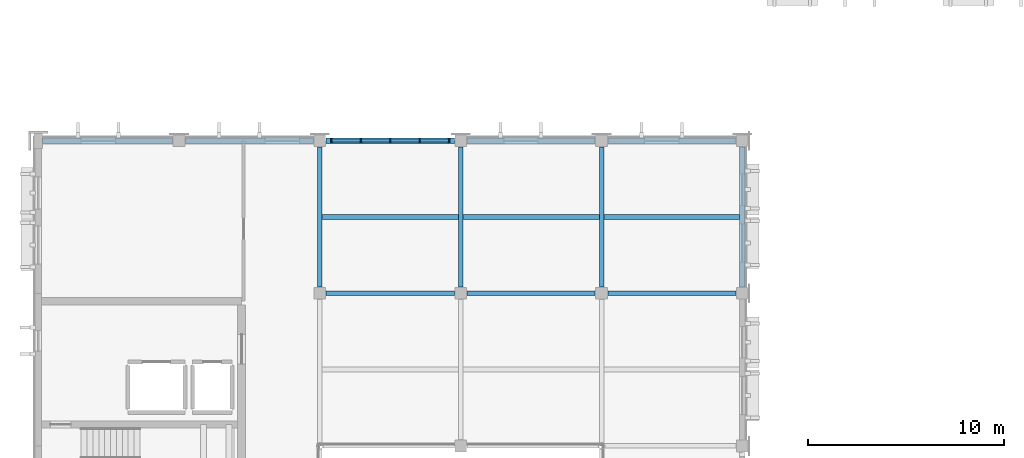
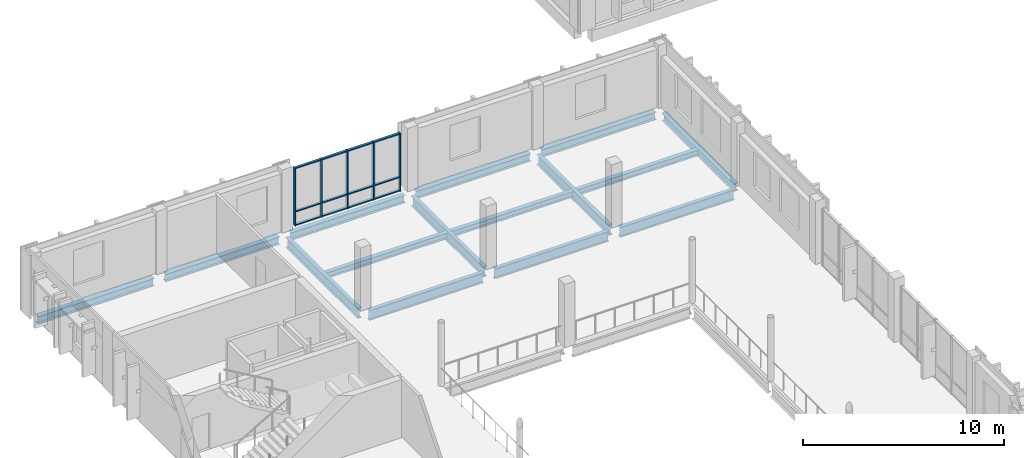
# One storey, part 18 of 64: 17 members, 15 beams, 1 element without a shape of its own.
"""IFC4 building model written with IfcOpenShell, lengths in metres."""

from ifc_helpers import new_model, si_unit, direction, frame, origin, origin_2d, place, context, subcontext, project, spatial, rectangle, i_section, extrude, material, material_profile, profile_set, type_object, element, aggregate, save


model = new_model("IFC4")

# Units and contexts
model_context = context("Model", 3, precision=1e-05, world=origin(), true_north=direction((0.0, 1.0)))
body_context = subcontext(model_context, "Body", "Model", "MODEL_VIEW")
ifc_project = project(units=[si_unit("LENGTHUNIT", "METRE"), si_unit("AREAUNIT", "SQUARE_METRE"), si_unit("VOLUMEUNIT", "CUBIC_METRE"), si_unit("PLANEANGLEUNIT", "RADIAN"), si_unit("MASSUNIT", "GRAM", prefix="KILO")], contexts=[model_context])

# Site, building, storey
site_placement = place(None, origin())
site = spatial("IfcSite", under=ifc_project, at=site_placement, CompositionType="ELEMENT")
building_placement = place(site_placement, origin())
building = spatial("IfcBuilding", under=site, at=building_placement, Name="Vervanel Yard Central Library", CompositionType="ELEMENT")
storey_placement = place(building_placement, frame((0.0, 0.0, 8.93994140625)))
storey = spatial("IfcBuildingStorey", under=building, at=storey_placement, Name="L02", CompositionType="ELEMENT", Elevation=8.93994140625)

# Curtain wall, members
ifc_material_1 = material(Name="Thermally broken anodized aluminium 6063-T6", Category="aluminium")
curtain_wall_type = type_object("IfcCurtainWallType", Name="Atrium Courtyard Curtain Wall", PredefinedType="NOTDEFINED", material=ifc_material_1)
curtain_wall_placement = place(storey_placement, origin())
curtain_wall = element("IfcCurtainWall", 1, at=curtain_wall_placement, inside=storey, type_object=curtain_wall_type, Name="L02 Atrium Courtyard Curtain Wall CWR-L02-037", PredefinedType="NOTDEFINED")
ifc_material_profile_1 = material_profile(ifc_material_1, rectangle(XDim=0.06494140625, YDim=0.18994140625, at=origin_2d()), Name="ALU 65x190", Category="aluminium")
ifc_profile_set_1 = profile_set([ifc_material_profile_1], Name="Thermally broken anodized aluminium 6063-T6")
member_type_1 = type_object("IfcMemberType", Name="Curtain Wall Primary Mullion 65x190", PredefinedType="MULLION", material=ifc_profile_set_1)
member_1_placement = place(storey_placement, frame((14.992431640625, 74.39990234375, 0.0), z_axis=(0.0, 0.0, 1.0), x_axis=(1.0, 0.0, 0.0)))
member_1 = element("IfcMember", 2, at=member_1_placement, type_object=member_type_1, Name="CWR-L02-037 Mullion 1", PredefinedType="MULLION", context=body_context, shape_type="SweptSolid", body=[
    extrude(rectangle(XDim=0.06494140625, YDim=0.18994140625, at=origin_2d()), origin(), (0.0, 0.0, 1.0), 3.510009765625),
])
member_2_placement = place(storey_placement, frame((16.496337890625, 74.39990234375, 0.0), z_axis=(0.0, 0.0, 1.0), x_axis=(1.0, 0.0, 0.0)))
member_2 = element("IfcMember", 3, at=member_2_placement, type_object=member_type_1, Name="CWR-L02-037 Mullion 2", PredefinedType="MULLION", context=body_context, shape_type="SweptSolid", body=[
    extrude(rectangle(XDim=0.06494140625, YDim=0.18994140625, at=origin_2d()), origin(), (0.0, 0.0, 1.0), 3.510009765625),
])
member_3_placement = place(storey_placement, frame((18.0, 74.39990234375, 0.0), z_axis=(0.0, 0.0, 1.0), x_axis=(1.0, 0.0, 0.0)))
member_3 = element("IfcMember", 4, at=member_3_placement, type_object=member_type_1, Name="CWR-L02-037 Mullion 3", PredefinedType="MULLION", context=body_context, shape_type="SweptSolid", body=[
    extrude(rectangle(XDim=0.06494140625, YDim=0.18994140625, at=origin_2d()), origin(), (0.0, 0.0, 1.0), 3.510009765625),
])
member_4_placement = place(storey_placement, frame((19.503662109375, 74.39990234375, 0.0), z_axis=(0.0, 0.0, 1.0), x_axis=(1.0, 0.0, 0.0)))
member_4 = element("IfcMember", 5, at=member_4_placement, type_object=member_type_1, Name="CWR-L02-037 Mullion 4", PredefinedType="MULLION", context=body_context, shape_type="SweptSolid", body=[
    extrude(rectangle(XDim=0.06494140625, YDim=0.18994140625, at=origin_2d()), origin(), (0.0, 0.0, 1.0), 3.510009765625),
])
member_5_placement = place(storey_placement, frame((21.007568359375, 74.39990234375, 0.0), z_axis=(0.0, 0.0, 1.0), x_axis=(1.0, 0.0, 0.0)))
member_5 = element("IfcMember", 6, at=member_5_placement, type_object=member_type_1, Name="CWR-L02-037 Mullion 5", PredefinedType="MULLION", context=body_context, shape_type="SweptSolid", body=[
    extrude(rectangle(XDim=0.06494140625, YDim=0.18994140625, at=origin_2d()), origin(), (0.0, 0.0, 1.0), 3.510009765625),
])
ifc_material_profile_2 = material_profile(ifc_material_1, rectangle(XDim=0.06494140625, YDim=0.139892578125, at=origin_2d()), Name="ALU 65x140", Category="aluminium")
ifc_profile_set_2 = profile_set([ifc_material_profile_2], Name="Thermally broken anodized aluminium 6063-T6")
member_type_2 = type_object("IfcMemberType", Name="Curtain Wall Transom 65x140", PredefinedType="NOTDEFINED", material=ifc_profile_set_2)
member_6_placement = place(storey_placement, frame((15.02490234375, 74.39990234375, 0.032470703125), z_axis=(1.0, 0.0, 0.0), x_axis=(0.0, 0.0, 1.0)))
member_6 = element("IfcMember", 7, at=member_6_placement, type_object=member_type_2, Name="CWR-L02-037 Transom B1-T1", ObjectType="TRANSOM", PredefinedType="USERDEFINED", context=body_context, shape_type="SweptSolid", body=[
    extrude(rectangle(XDim=0.06494140625, YDim=0.139892578125, at=origin_2d()), origin(), (0.0, 0.0, 1.0), 1.43896484375),
])
member_7_placement = place(storey_placement, frame((15.02490234375, 74.39990234375, 0.85009765625), z_axis=(1.0, 0.0, 0.0), x_axis=(0.0, 0.0, 1.0)))
member_7 = element("IfcMember", 8, at=member_7_placement, type_object=member_type_2, Name="CWR-L02-037 Transom B1-T2", ObjectType="TRANSOM", PredefinedType="USERDEFINED", context=body_context, shape_type="SweptSolid", body=[
    extrude(rectangle(XDim=0.06494140625, YDim=0.139892578125, at=origin_2d()), origin(), (0.0, 0.0, 1.0), 1.43896484375),
])
member_8_placement = place(storey_placement, frame((15.02490234375, 74.39990234375, 3.4775390625), z_axis=(1.0, 0.0, 0.0), x_axis=(0.0, 0.0, 1.0)))
member_8 = element("IfcMember", 9, at=member_8_placement, type_object=member_type_2, Name="CWR-L02-037 Transom B1-T3", ObjectType="TRANSOM", PredefinedType="USERDEFINED", context=body_context, shape_type="SweptSolid", body=[
    extrude(rectangle(XDim=0.06494140625, YDim=0.139892578125, at=origin_2d()), origin(), (0.0, 0.0, 1.0), 1.43896484375),
])
member_9_placement = place(storey_placement, frame((16.52880859375, 74.39990234375, 0.032470703125), z_axis=(1.0, 0.0, 0.0), x_axis=(0.0, 0.0, 1.0)))
member_9 = element("IfcMember", 10, at=member_9_placement, type_object=member_type_2, Name="CWR-L02-037 Transom B2-T1", ObjectType="TRANSOM", PredefinedType="USERDEFINED", context=body_context, shape_type="SweptSolid", body=[
    extrude(rectangle(XDim=0.06494140625, YDim=0.139892578125, at=origin_2d()), origin(), (0.0, 0.0, 1.0), 1.438720703125),
])
member_10_placement = place(storey_placement, frame((16.52880859375, 74.39990234375, 0.85009765625), z_axis=(1.0, 0.0, 0.0), x_axis=(0.0, 0.0, 1.0)))
member_10 = element("IfcMember", 11, at=member_10_placement, type_object=member_type_2, Name="CWR-L02-037 Transom B2-T2", ObjectType="TRANSOM", PredefinedType="USERDEFINED", context=body_context, shape_type="SweptSolid", body=[
    extrude(rectangle(XDim=0.06494140625, YDim=0.139892578125, at=origin_2d()), origin(), (0.0, 0.0, 1.0), 1.438720703125),
])
member_11_placement = place(storey_placement, frame((16.52880859375, 74.39990234375, 3.4775390625), z_axis=(1.0, 0.0, 0.0), x_axis=(0.0, 0.0, 1.0)))
member_11 = element("IfcMember", 12, at=member_11_placement, type_object=member_type_2, Name="CWR-L02-037 Transom B2-T3", ObjectType="TRANSOM", PredefinedType="USERDEFINED", context=body_context, shape_type="SweptSolid", body=[
    extrude(rectangle(XDim=0.06494140625, YDim=0.139892578125, at=origin_2d()), origin(), (0.0, 0.0, 1.0), 1.438720703125),
])
member_12_placement = place(storey_placement, frame((18.032470703125, 74.39990234375, 0.032470703125), z_axis=(1.0, 0.0, 0.0), x_axis=(0.0, 0.0, 1.0)))
member_12 = element("IfcMember", 13, at=member_12_placement, type_object=member_type_2, Name="CWR-L02-037 Transom B3-T1", ObjectType="TRANSOM", PredefinedType="USERDEFINED", context=body_context, shape_type="SweptSolid", body=[
    extrude(rectangle(XDim=0.06494140625, YDim=0.139892578125, at=origin_2d()), origin(), (0.0, 0.0, 1.0), 1.438720703125),
])
member_13_placement = place(storey_placement, frame((18.032470703125, 74.39990234375, 0.85009765625), z_axis=(1.0, 0.0, 0.0), x_axis=(0.0, 0.0, 1.0)))
member_13 = element("IfcMember", 14, at=member_13_placement, type_object=member_type_2, Name="CWR-L02-037 Transom B3-T2", ObjectType="TRANSOM", PredefinedType="USERDEFINED", context=body_context, shape_type="SweptSolid", body=[
    extrude(rectangle(XDim=0.06494140625, YDim=0.139892578125, at=origin_2d()), origin(), (0.0, 0.0, 1.0), 1.438720703125),
])
member_14_placement = place(storey_placement, frame((18.032470703125, 74.39990234375, 3.4775390625), z_axis=(1.0, 0.0, 0.0), x_axis=(0.0, 0.0, 1.0)))
member_14 = element("IfcMember", 15, at=member_14_placement, type_object=member_type_2, Name="CWR-L02-037 Transom B3-T3", ObjectType="TRANSOM", PredefinedType="USERDEFINED", context=body_context, shape_type="SweptSolid", body=[
    extrude(rectangle(XDim=0.06494140625, YDim=0.139892578125, at=origin_2d()), origin(), (0.0, 0.0, 1.0), 1.438720703125),
])
member_15_placement = place(storey_placement, frame((19.5361328125, 74.39990234375, 0.032470703125), z_axis=(1.0, 0.0, 0.0), x_axis=(0.0, 0.0, 1.0)))
member_15 = element("IfcMember", 16, at=member_15_placement, type_object=member_type_2, Name="CWR-L02-037 Transom B4-T1", ObjectType="TRANSOM", PredefinedType="USERDEFINED", context=body_context, shape_type="SweptSolid", body=[
    extrude(rectangle(XDim=0.06494140625, YDim=0.139892578125, at=origin_2d()), origin(), (0.0, 0.0, 1.0), 1.43896484375),
])
member_16_placement = place(storey_placement, frame((19.5361328125, 74.39990234375, 0.85009765625), z_axis=(1.0, 0.0, 0.0), x_axis=(0.0, 0.0, 1.0)))
member_16 = element("IfcMember", 17, at=member_16_placement, type_object=member_type_2, Name="CWR-L02-037 Transom B4-T2", ObjectType="TRANSOM", PredefinedType="USERDEFINED", context=body_context, shape_type="SweptSolid", body=[
    extrude(rectangle(XDim=0.06494140625, YDim=0.139892578125, at=origin_2d()), origin(), (0.0, 0.0, 1.0), 1.43896484375),
])
member_17_placement = place(storey_placement, frame((19.5361328125, 74.39990234375, 3.4775390625), z_axis=(1.0, 0.0, 0.0), x_axis=(0.0, 0.0, 1.0)))
member_17 = element("IfcMember", 18, at=member_17_placement, type_object=member_type_2, Name="CWR-L02-037 Transom B4-T3", ObjectType="TRANSOM", PredefinedType="USERDEFINED", context=body_context, shape_type="SweptSolid", body=[
    extrude(rectangle(XDim=0.06494140625, YDim=0.139892578125, at=origin_2d()), origin(), (0.0, 0.0, 1.0), 1.43896484375),
])
aggregate(curtain_wall, [member_1, member_2, member_3, member_4, member_5, member_6, member_7, member_8, member_9, member_10, member_11, member_12, member_13, member_14, member_15, member_16, member_17])

# Beams
ifc_material_2 = material(Name="Steel ASTM A992 Grade 50", Category="steel")
ifc_material_profile_3 = material_profile(ifc_material_2, i_section(OverallWidth=0.25390625, OverallDepth=0.355712890625, WebThickness=0.010498046875, FlangeThickness=0.018310546875, at=origin_2d()), Name="W14X68", Category="steel")
ifc_profile_set_3 = profile_set([ifc_material_profile_3], Name="Steel ASTM A992 Grade 50")
beam_type_1 = type_object("IfcBeamType", Name="Steel Atrium Edge Joist W14X68", PredefinedType="JOIST", material=ifc_profile_set_3)
for number, where, z_axis, x_axis, name in (
    (19, (14.5146484375, 70.5, -0.462646484375), (1.0, 0.0, 0.0), (0.0, 1.0, 0.0), "L02 Floor Joist SJ-06 Y=70.50 X=14.4-21.6"),
    (20, (21.714599609375, 70.5, -0.462646484375), (1.0, 0.0, 0.0), (0.0, 1.0, 0.0), "L02 Floor Joist SJ-06 Y=70.50 X=21.6-28.8"),
):
    element("IfcBeam", number, at=place(storey_placement, frame(where, z_axis=z_axis, x_axis=x_axis)), inside=storey, type_object=beam_type_1, Name=name, PredefinedType="JOIST", context=body_context, shape_type="SweptSolid", body=[
        extrude(i_section(OverallWidth=0.25390625, OverallDepth=0.355712890625, WebThickness=0.010498046875, FlangeThickness=0.018310546875, at=origin_2d()), origin(), (0.0, 0.0, 1.0), 6.970703125),
    ])
beam_1_placement = place(storey_placement, frame((28.91455078125, 70.5, -0.462646484375), z_axis=(1.0, 0.0, 0.0), x_axis=(0.0, 1.0, 0.0)))
element("IfcBeam", 21, at=beam_1_placement, inside=storey, type_object=beam_type_1, Name="L02 Floor Joist SJ-06 Y=70.50 X=28.8-36.0", PredefinedType="JOIST", context=body_context, shape_type="SweptSolid", body=[
    extrude(i_section(OverallWidth=0.25390625, OverallDepth=0.355712890625, WebThickness=0.010498046875, FlangeThickness=0.018310546875, at=origin_2d()), origin(), (0.0, 0.0, 1.0), 6.9443359375),
])
ifc_material_profile_4 = material_profile(ifc_material_2, i_section(OverallWidth=0.22900390625, OverallDepth=0.612060546875, WebThickness=0.011962890625, FlangeThickness=0.01953125, at=origin_2d()), Name="W24X84", Category="steel")
ifc_profile_set_4 = profile_set([ifc_material_profile_4], Name="Steel ASTM A992 Grade 50")
beam_type_2 = type_object("IfcBeamType", Name="Steel Primary Girder W24X84", PredefinedType="BEAM", material=ifc_profile_set_4)
beam_2_placement = place(storey_placement, frame((14.72509765625, 66.60009765625, -0.591064453125), z_axis=(1.0, 0.0, 0.0), x_axis=(0.0, 1.0, 0.0)))
element("IfcBeam", 22, at=beam_2_placement, inside=storey, type_object=beam_type_2, Name="L02 Girder SB-01 Y=66.6 X=14.4-21.6", PredefinedType="BEAM", context=body_context, shape_type="SweptSolid", body=[
    extrude(i_section(OverallWidth=0.22900390625, OverallDepth=0.612060546875, WebThickness=0.011962890625, FlangeThickness=0.01953125, at=origin_2d()), origin(), (0.0, 0.0, 1.0), 6.5498046875),
])
for number, where, z_axis, x_axis, name in (
    (23, (21.925048828125, 66.60009765625, -0.591064453125), (1.0, 0.0, 0.0), (0.0, 1.0, 0.0), "L02 Girder SB-01 Y=66.6 X=21.6-28.8"),
    (24, (29.125, 66.60009765625, -0.591064453125), (1.0, 0.0, 0.0), (0.0, 1.0, 0.0), "L02 Girder SB-01 Y=66.6 X=28.8-36.0"),
):
    element("IfcBeam", number, at=place(storey_placement, frame(where, z_axis=z_axis, x_axis=x_axis)), inside=storey, type_object=beam_type_2, Name=name, PredefinedType="BEAM", context=body_context, shape_type="SweptSolid", body=[
        extrude(i_section(OverallWidth=0.22900390625, OverallDepth=0.612060546875, WebThickness=0.011962890625, FlangeThickness=0.01953125, at=origin_2d()), origin(), (0.0, 0.0, 1.0), 6.550048828125),
    ])
for number, where, z_axis, x_axis, name in (
    (25, (14.39990234375, 66.925048828125, -0.591064453125), (0.0, 1.0, 0.0), (-1.0, 0.0, 0.0), "L02 Girder SB-01 X=14.4 Y=66.6-74.4"),
    (26, (21.60009765625, 66.925048828125, -0.591064453125), (0.0, 1.0, 0.0), (-1.0, 0.0, 0.0), "L02 Girder SB-01 X=21.6 Y=66.6-74.4"),
    (27, (28.800048828125, 66.925048828125, -0.591064453125), (0.0, 1.0, 0.0), (-1.0, 0.0, 0.0), "L02 Girder SB-01 X=28.8 Y=66.6-74.4"),
):
    element("IfcBeam", number, at=place(storey_placement, frame(where, z_axis=z_axis, x_axis=x_axis)), inside=storey, type_object=beam_type_2, Name=name, PredefinedType="BEAM", context=body_context, shape_type="SweptSolid", body=[
        extrude(i_section(OverallWidth=0.22900390625, OverallDepth=0.612060546875, WebThickness=0.011962890625, FlangeThickness=0.01953125, at=origin_2d()), origin(), (0.0, 0.0, 1.0), 7.14990234375),
    ])
ifc_material_profile_5 = material_profile(ifc_material_2, i_section(OverallWidth=0.281982421875, OverallDepth=0.46728515625, WebThickness=0.01220703125, FlangeThickness=0.01953125, at=origin_2d()), Name="W18X86", Category="steel")
ifc_profile_set_5 = profile_set([ifc_material_profile_5], Name="Steel ASTM A992 Grade 50")
beam_type_3 = type_object("IfcBeamType", Name="Steel Spandrel Beam W18X86", PredefinedType="SPANDREL", material=ifc_profile_set_5)
beam_3_placement = place(storey_placement, frame((0.2099609375, 74.39990234375, -0.5185546875), z_axis=(1.0, 0.0, 0.0), x_axis=(0.0, 1.0, 0.0)))
element("IfcBeam", 28, at=beam_3_placement, inside=storey, type_object=beam_type_3, Name="L02 Girder SP-02 Y=74.4 X=0.0-7.2", PredefinedType="SPANDREL", context=body_context, shape_type="SweptSolid", body=[
    extrude(i_section(OverallWidth=0.281982421875, OverallDepth=0.46728515625, WebThickness=0.01220703125, FlangeThickness=0.01953125, at=origin_2d()), origin(), (0.0, 0.0, 1.0), 6.6650390625),
])
beam_4_placement = place(storey_placement, frame((7.52490234375, 74.39990234375, -0.5185546875), z_axis=(1.0, 0.0, 0.0), x_axis=(0.0, 1.0, 0.0)))
element("IfcBeam", 29, at=beam_4_placement, inside=storey, type_object=beam_type_3, Name="L02 Girder SP-02 Y=74.4 X=7.2-14.4", PredefinedType="SPANDREL", context=body_context, shape_type="SweptSolid", body=[
    extrude(i_section(OverallWidth=0.281982421875, OverallDepth=0.46728515625, WebThickness=0.01220703125, FlangeThickness=0.01953125, at=origin_2d()), origin(), (0.0, 0.0, 1.0), 6.550048828125),
])
beam_5_placement = place(storey_placement, frame((14.72509765625, 74.39990234375, -0.5185546875), z_axis=(1.0, 0.0, 0.0), x_axis=(0.0, 1.0, 0.0)))
element("IfcBeam", 30, at=beam_5_placement, inside=storey, type_object=beam_type_3, Name="L02 Girder SP-02 Y=74.4 X=14.4-21.6", PredefinedType="SPANDREL", context=body_context, shape_type="SweptSolid", body=[
    extrude(i_section(OverallWidth=0.281982421875, OverallDepth=0.46728515625, WebThickness=0.01220703125, FlangeThickness=0.01953125, at=origin_2d()), origin(), (0.0, 0.0, 1.0), 6.5498046875),
])
for number, where, z_axis, x_axis, name in (
    (31, (21.925048828125, 74.39990234375, -0.5185546875), (1.0, 0.0, 0.0), (0.0, 1.0, 0.0), "L02 Girder SP-02 Y=74.4 X=21.6-28.8"),
    (32, (29.125, 74.39990234375, -0.5185546875), (1.0, 0.0, 0.0), (0.0, 1.0, 0.0), "L02 Girder SP-02 Y=74.4 X=28.8-36.0"),
):
    element("IfcBeam", number, at=place(storey_placement, frame(where, z_axis=z_axis, x_axis=x_axis)), inside=storey, type_object=beam_type_3, Name=name, PredefinedType="SPANDREL", context=body_context, shape_type="SweptSolid", body=[
        extrude(i_section(OverallWidth=0.281982421875, OverallDepth=0.46728515625, WebThickness=0.01220703125, FlangeThickness=0.01953125, at=origin_2d()), origin(), (0.0, 0.0, 1.0), 6.550048828125),
    ])
beam_6_placement = place(storey_placement, frame((36.0, 66.925048828125, -0.5185546875), z_axis=(0.0, 1.0, 0.0), x_axis=(-1.0, 0.0, 0.0)))
element("IfcBeam", 33, at=beam_6_placement, inside=storey, type_object=beam_type_3, Name="L02 Girder SP-02 X=36.0 Y=66.6-74.4", PredefinedType="SPANDREL", context=body_context, shape_type="SweptSolid", body=[
    extrude(i_section(OverallWidth=0.281982421875, OverallDepth=0.46728515625, WebThickness=0.01220703125, FlangeThickness=0.01953125, at=origin_2d()), origin(), (0.0, 0.0, 1.0), 7.14990234375),
])

save(model, "model.ifc")
